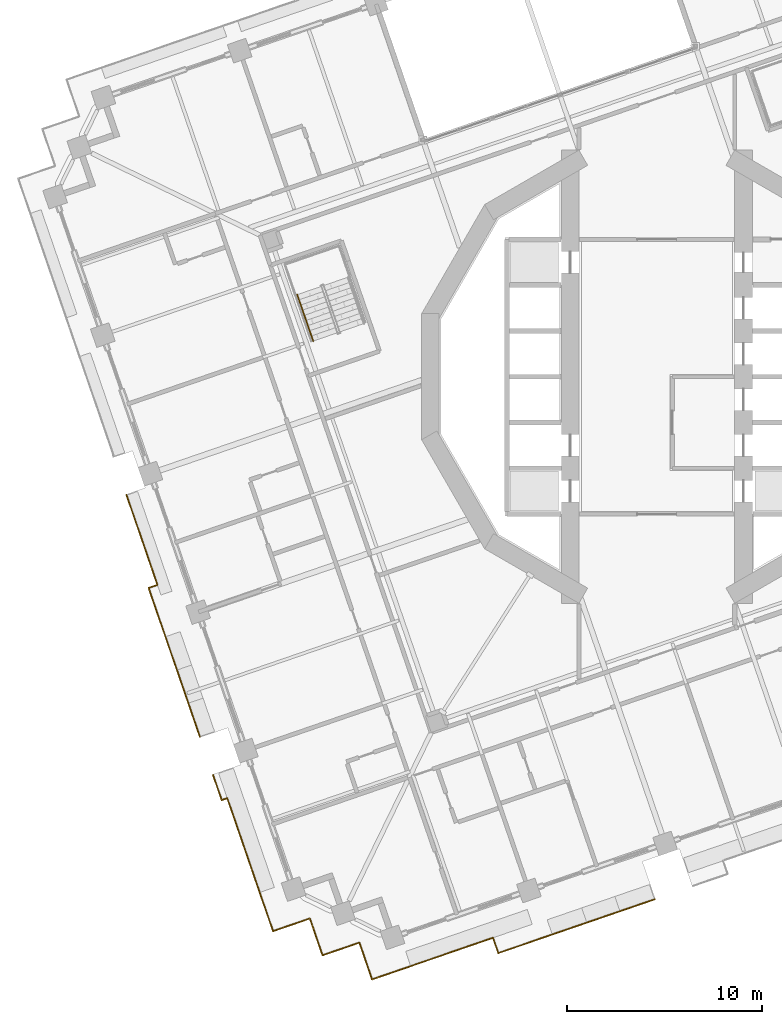
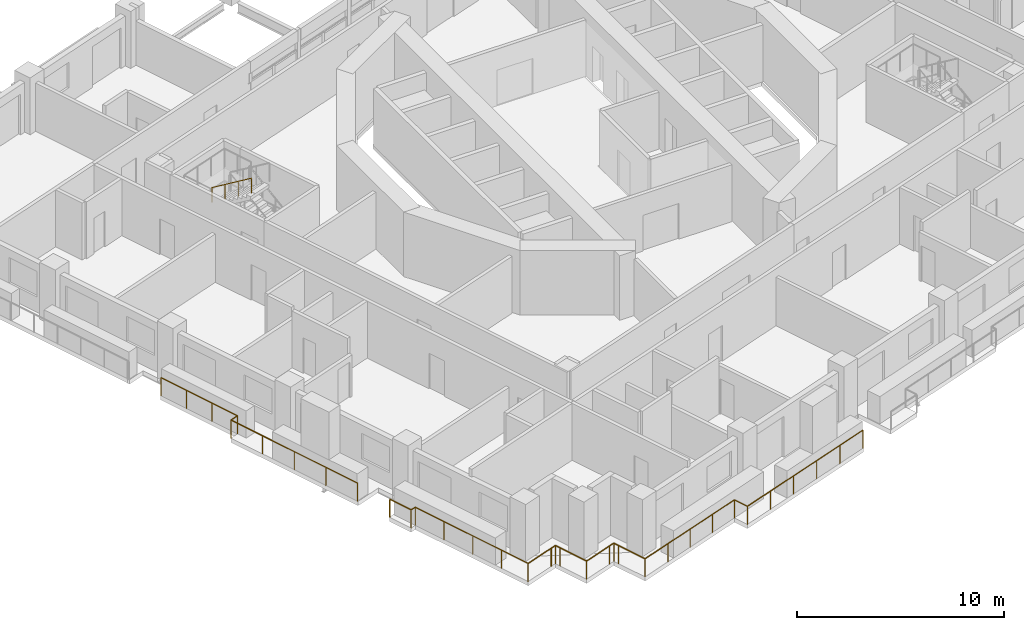
# One storey, part 15 of 22: 5 railings.
"""IFC4 building model written with IfcOpenShell, lengths in metres."""

from ifc_helpers import new_model, si_unit, direction, frame, origin, origin_2d, place, context, subcontext, project, spatial, circle, extrude, material, type_object, element, save


model = new_model("IFC4")

# Units and contexts
model_context = context("Model", 3, precision=1e-05, world=origin(), true_north=direction((0.0, 1.0)))
body_context = subcontext(model_context, "Body", "Model", "MODEL_VIEW")
ifc_project = project(units=[si_unit("LENGTHUNIT", "METRE"), si_unit("AREAUNIT", "SQUARE_METRE"), si_unit("VOLUMEUNIT", "CUBIC_METRE"), si_unit("PLANEANGLEUNIT", "RADIAN"), si_unit("MASSUNIT", "GRAM", prefix="KILO")], contexts=[model_context])

# Site, building, storey
site_placement = place(None, origin())
site = spatial("IfcSite", under=ifc_project, at=site_placement, CompositionType="ELEMENT")
building_placement = place(site_placement, origin())
building = spatial("IfcBuilding", under=site, at=building_placement, Name="Cantera Rosa Tower", CompositionType="ELEMENT")
storey_placement = place(building_placement, frame((0.0, 0.0, 138.300048828125)))
storey = spatial("IfcBuildingStorey", under=building, at=storey_placement, Name="L29", CompositionType="ELEMENT", Elevation=138.300048828125)

# Railings
ifc_material_1 = material(Name="Stainless steel and laminated glass", Category="steel")
railing_type_1 = type_object("IfcRailingType", Name="GUARD 1100", PredefinedType="BALUSTRADE", material=ifc_material_1)
railing_1_placement = place(storey_placement, frame((-18.098388671875, -27.9130859375, 0.0)))
element("IfcRailing", 1, at=railing_1_placement, inside=storey, type_object=railing_type_1, Name="GUARD L29-1", PredefinedType="BALUSTRADE", context=body_context, shape_type="SweptSolid", body=[
    extrude(circle(Radius=0.030029296875, at=origin_2d()), frame((0.0, 0.0, 1.070068359375), z_axis=(-0.945520918819, -0.325561349174, 0.0), x_axis=(0.325561349174, -0.945520918819, 0.0)), (0.0, 0.0, 1.0), 1.699951171875),
    extrude(circle(Radius=0.030029296875, at=origin_2d()), frame((-1.607421875, -0.553466796875, 1.070068359375), z_axis=(-0.325561349174, 0.945520918819, 0.0), x_axis=(-0.945520918819, -0.325561349174, 0.0)), (0.0, 0.0, 1.0), 1.699951171875),
    extrude(circle(Radius=0.030029296875, at=origin_2d()), frame((-2.160888671875, 1.053955078125, 1.070068359375), z_axis=(-0.325569350846, 0.945518163649, 0.0), x_axis=(-0.945518163649, -0.325569350846, 0.0)), (0.0, 0.0, 1.0), 5.518310546875),
    extrude(circle(Radius=0.030029296875, at=origin_2d()), frame((-3.95751953125, 6.271728515625, 1.070068359375), z_axis=(-0.945562091627, -0.325441747289, 0.0), x_axis=(0.325441747289, -0.945562091627, 0.0)), (0.0, 0.0, 1.0), 0.301513671875),
    extrude(circle(Radius=0.030029296875, at=origin_2d()), frame((-4.24267578125, 6.173583984375, 1.070068359375), z_axis=(-0.325557288709, 0.945522316907, 0.0), x_axis=(-0.945522316907, -0.325557288709, 0.0)), (0.0, 0.0, 1.0), 1.37158203125),
    extrude(circle(Radius=0.02490234375, at=origin_2d()), origin(), (0.0, 0.0, 1.0), 1.0400390625),
    extrude(circle(Radius=0.02490234375, at=origin_2d()), frame((-1.607421875, -0.553466796875, 0.0)), (0.0, 0.0, 1.0), 1.0400390625),
    extrude(circle(Radius=0.02490234375, at=origin_2d()), frame((-2.160888671875, 1.053955078125, 0.0)), (0.0, 0.0, 1.0), 1.0400390625),
    extrude(circle(Radius=0.02490234375, at=origin_2d()), frame((-2.759765625, 2.793212890625, 0.0)), (0.0, 0.0, 1.0), 1.0400390625),
    extrude(circle(Radius=0.02490234375, at=origin_2d()), frame((-3.358642578125, 4.532470703125, 0.0)), (0.0, 0.0, 1.0), 1.0400390625),
    extrude(circle(Radius=0.02490234375, at=origin_2d()), frame((-3.95751953125, 6.271728515625, 0.0)), (0.0, 0.0, 1.0), 1.0400390625),
    extrude(circle(Radius=0.02490234375, at=origin_2d()), frame((-4.24267578125, 6.173583984375, 0.0)), (0.0, 0.0, 1.0), 1.0400390625),
    extrude(circle(Radius=0.02490234375, at=origin_2d()), frame((-4.689208984375, 7.470458984375, 0.0)), (0.0, 0.0, 1.0), 1.0400390625),
])
railing_2_placement = place(storey_placement, frame((-0.1015625, -26.82666015625, 0.0)))
element("IfcRailing", 2, at=railing_2_placement, inside=storey, type_object=railing_type_1, Name="GUARD L29-2", PredefinedType="BALUSTRADE", context=body_context, shape_type="SweptSolid", body=[
    extrude(circle(Radius=0.030029296875, at=origin_2d()), frame((0.0, 0.0, 1.070068359375), z_axis=(-0.945515705573, -0.3255764895, 0.0), x_axis=(0.3255764895, -0.945515705573, 0.0)), (0.0, 0.0, 1.0), 8.501953125),
    extrude(circle(Radius=0.030029296875, at=origin_2d()), frame((-8.038818359375, -2.76806640625, 1.070068359375), z_axis=(-0.325629026099, 0.94549761362, 0.0), x_axis=(-0.94549761362, -0.325629026099, 0.0)), (0.0, 0.0, 1.0), 0.832275390625),
    extrude(circle(Radius=0.030029296875, at=origin_2d()), frame((-8.309814453125, -1.981201171875, 1.070068359375), z_axis=(-0.945512531249, -0.325585707997, 0.0), x_axis=(0.325585707997, -0.945512531249, 0.0)), (0.0, 0.0, 1.0), 4.867919921875),
    extrude(circle(Radius=0.030029296875, at=origin_2d()), frame((-12.91259765625, -3.566162109375, 1.070068359375), z_axis=(-0.945520918819, -0.325561349174, 0.0), x_axis=(0.325561349174, -0.945520918819, 0.0)), (0.0, 0.0, 1.0), 1.699951171875),
    extrude(circle(Radius=0.030029296875, at=origin_2d()), frame((-14.52001953125, -4.11962890625, 1.070068359375), z_axis=(-0.325561349174, 0.945520918819, 0.0), x_axis=(-0.945520918819, -0.325561349174, 0.0)), (0.0, 0.0, 1.0), 1.699951171875),
    extrude(circle(Radius=0.030029296875, at=origin_2d()), frame((-15.073486328125, -2.51220703125, 1.070068359375), z_axis=(-0.325489086777, 0.945545797087, 0.0), x_axis=(-0.945545797087, -0.325489086777, 0.0)), (0.0, 0.0, 1.0), 0.300048828125),
    extrude(circle(Radius=0.030029296875, at=origin_2d()), frame((-15.171142578125, -2.228515625, 1.070068359375), z_axis=(-0.945459489149, -0.325739703411, 0.0), x_axis=(0.325739703411, -0.945459489149, 0.0)), (0.0, 0.0, 1.0), 0.2998046875),
    extrude(circle(Radius=0.030029296875, at=origin_2d()), frame((-15.45458984375, -2.326171875, 1.070068359375), z_axis=(-0.945520918819, -0.325561349174, 0.0), x_axis=(0.325561349174, -0.945520918819, 0.0)), (0.0, 0.0, 1.0), 1.699951171875),
    extrude(circle(Radius=0.030029296875, at=origin_2d()), frame((-17.06201171875, -2.879638671875, 1.070068359375), z_axis=(-0.325605561237, 0.945505694584, 0.0), x_axis=(-0.945505694584, -0.325605561237, 0.0)), (0.0, 0.0, 1.0), 1.69970703125),
    extrude(circle(Radius=0.030029296875, at=origin_2d()), frame((-17.615478515625, -1.2724609375, 1.070068359375), z_axis=(-0.325489086777, 0.945545797087, 0.0), x_axis=(-0.945545797087, -0.325489086777, 0.0)), (0.0, 0.0, 1.0), 0.300048828125),
    extrude(circle(Radius=0.030029296875, at=origin_2d()), frame((-17.713134765625, -0.98876953125, 1.070068359375), z_axis=(-0.945545797087, -0.325489086777, 0.0), x_axis=(0.325489086777, -0.945545797087, 0.0)), (0.0, 0.0, 1.0), 0.300048828125),
    extrude(circle(Radius=0.02490234375, at=origin_2d()), origin(), (0.0, 0.0, 1.0), 1.0400390625),
    extrude(circle(Radius=0.02490234375, at=origin_2d()), frame((-1.607666015625, -0.5537109375, 0.0)), (0.0, 0.0, 1.0), 1.0400390625),
    extrude(circle(Radius=0.02490234375, at=origin_2d()), frame((-3.215576171875, -1.107177734375, 0.0)), (0.0, 0.0, 1.0), 1.0400390625),
    extrude(circle(Radius=0.02490234375, at=origin_2d()), frame((-4.8232421875, -1.660888671875, 0.0)), (0.0, 0.0, 1.0), 1.0400390625),
    extrude(circle(Radius=0.02490234375, at=origin_2d()), frame((-6.43115234375, -2.21435546875, 0.0)), (0.0, 0.0, 1.0), 1.0400390625),
    extrude(circle(Radius=0.02490234375, at=origin_2d()), frame((-8.038818359375, -2.76806640625, 0.0)), (0.0, 0.0, 1.0), 1.0400390625),
    extrude(circle(Radius=0.02490234375, at=origin_2d()), frame((-8.309814453125, -1.981201171875, 0.0)), (0.0, 0.0, 1.0), 1.0400390625),
    extrude(circle(Radius=0.02490234375, at=origin_2d()), frame((-9.843994140625, -2.509521484375, 0.0)), (0.0, 0.0, 1.0), 1.0400390625),
    extrude(circle(Radius=0.02490234375, at=origin_2d()), frame((-11.37841796875, -3.037841796875, 0.0)), (0.0, 0.0, 1.0), 1.0400390625),
    extrude(circle(Radius=0.02490234375, at=origin_2d()), frame((-12.91259765625, -3.566162109375, 0.0)), (0.0, 0.0, 1.0), 1.0400390625),
    extrude(circle(Radius=0.02490234375, at=origin_2d()), frame((-14.52001953125, -4.11962890625, 0.0)), (0.0, 0.0, 1.0), 1.0400390625),
    extrude(circle(Radius=0.02490234375, at=origin_2d()), frame((-15.073486328125, -2.51220703125, 0.0)), (0.0, 0.0, 1.0), 1.0400390625),
    extrude(circle(Radius=0.02490234375, at=origin_2d()), frame((-15.171142578125, -2.228515625, 0.0)), (0.0, 0.0, 1.0), 1.0400390625),
    extrude(circle(Radius=0.02490234375, at=origin_2d()), frame((-15.45458984375, -2.326171875, 0.0)), (0.0, 0.0, 1.0), 1.0400390625),
    extrude(circle(Radius=0.02490234375, at=origin_2d()), frame((-17.06201171875, -2.879638671875, 0.0)), (0.0, 0.0, 1.0), 1.0400390625),
    extrude(circle(Radius=0.02490234375, at=origin_2d()), frame((-17.615478515625, -1.2724609375, 0.0)), (0.0, 0.0, 1.0), 1.0400390625),
    extrude(circle(Radius=0.02490234375, at=origin_2d()), frame((-17.713134765625, -0.98876953125, 0.0)), (0.0, 0.0, 1.0), 1.0400390625),
    extrude(circle(Radius=0.02490234375, at=origin_2d()), frame((-17.996826171875, -1.08642578125, 0.0)), (0.0, 0.0, 1.0), 1.0400390625),
])
railing_3_placement = place(storey_placement, frame((-25.639892578125, -10.688232421875, 0.0)))
element("IfcRailing", 3, at=railing_3_placement, inside=storey, type_object=railing_type_1, Name="GUARD L29-4", PredefinedType="BALUSTRADE", context=body_context, shape_type="SweptSolid", body=[
    extrude(circle(Radius=0.030029296875, at=origin_2d()), frame((0.0, 0.0, 1.070068359375), z_axis=(-0.325576621032, 0.945515660281, 0.0), x_axis=(-0.945515660281, -0.325576621032, 0.0)), (0.0, 0.0, 1.0), 4.888427734375),
    extrude(circle(Radius=0.02490234375, at=origin_2d()), origin(), (0.0, 0.0, 1.0), 1.0400390625),
    extrude(circle(Radius=0.02490234375, at=origin_2d()), frame((-0.530517578125, 1.540771484375, 0.0)), (0.0, 0.0, 1.0), 1.0400390625),
    extrude(circle(Radius=0.02490234375, at=origin_2d()), frame((-1.06103515625, 3.081298828125, 0.0)), (0.0, 0.0, 1.0), 1.0400390625),
    extrude(circle(Radius=0.02490234375, at=origin_2d()), frame((-1.591552734375, 4.6220703125, 0.0)), (0.0, 0.0, 1.0), 1.0400390625),
])
railing_4_placement = place(storey_placement, frame((-23.458251953125, -18.494873046875, 0.0)))
element("IfcRailing", 4, at=railing_4_placement, inside=storey, type_object=railing_type_1, Name="GUARD L29-5", PredefinedType="BALUSTRADE", context=body_context, shape_type="SweptSolid", body=[
    extrude(circle(Radius=0.030029296875, at=origin_2d()), frame((0.0, 0.0, 1.070068359375), z_axis=(-0.325589884349, 0.945511093118, 0.0), x_axis=(-0.945511093118, -0.325589884349, 0.0)), (0.0, 0.0, 1.0), 8.091552734375),
    extrude(circle(Radius=0.030029296875, at=origin_2d()), frame((-2.634521484375, 7.650634765625, 1.070068359375), z_axis=(0.94547584758, 0.325692219193, 0.0), x_axis=(-0.325692219193, 0.94547584758, 0.0)), (0.0, 0.0, 1.0), 0.47900390625),
    extrude(circle(Radius=0.02490234375, at=origin_2d()), origin(), (0.0, 0.0, 1.0), 1.0400390625),
    extrude(circle(Radius=0.02490234375, at=origin_2d()), frame((-0.65869140625, 1.91259765625, 0.0)), (0.0, 0.0, 1.0), 1.0400390625),
    extrude(circle(Radius=0.02490234375, at=origin_2d()), frame((-1.3173828125, 3.8251953125, 0.0)), (0.0, 0.0, 1.0), 1.0400390625),
    extrude(circle(Radius=0.02490234375, at=origin_2d()), frame((-1.975830078125, 5.738037109375, 0.0)), (0.0, 0.0, 1.0), 1.0400390625),
    extrude(circle(Radius=0.02490234375, at=origin_2d()), frame((-2.634521484375, 7.650634765625, 0.0)), (0.0, 0.0, 1.0), 1.0400390625),
    extrude(circle(Radius=0.02490234375, at=origin_2d()), frame((-2.181640625, 7.806640625, 0.0)), (0.0, 0.0, 1.0), 1.0400390625),
])
ifc_material_2 = material(Name="Steel S355J2 (EN 10025-2)", Category="steel")
railing_type_2 = type_object("IfcRailingType", Name="STAIR HANDRAIL 900", PredefinedType="HANDRAIL", material=ifc_material_2)
railing_5_placement = place(storey_placement, frame((-18.46484375, 4.21142578125, 2.08984375)))
element("IfcRailing", 5, at=railing_5_placement, inside=storey, type_object=railing_type_2, Name="L29 ST-22 stair handrail 2", PredefinedType="HANDRAIL", context=body_context, shape_type="SweptSolid", body=[
    extrude(circle(Radius=0.02392578125, at=origin_2d()), frame((0.0, 0.0, 0.8759765625), z_axis=(0.269420291028, -0.782368949847, 0.561526075172), x_axis=(0.94550776501, 0.325599548996, 0.0)), (0.0, 0.0, 1.0), 3.045654296875),
    extrude(circle(Radius=0.02099609375, at=origin_2d()), origin(), (0.0, 0.0, 1.0), 0.851806640625),
    extrude(circle(Radius=0.02099609375, at=origin_2d()), frame((0.2734375, -0.794189453125, 0.570068359375)), (0.0, 0.0, 1.0), 0.851806640625),
    extrude(circle(Radius=0.02099609375, at=origin_2d()), frame((0.547119140625, -1.588623046875, 1.14013671875)), (0.0, 0.0, 1.0), 0.851806640625),
    extrude(circle(Radius=0.02099609375, at=origin_2d()), frame((0.820556640625, -2.3828125, 1.710205078125)), (0.0, 0.0, 1.0), 0.851806640625),
])

save(model, "model.ifc")
